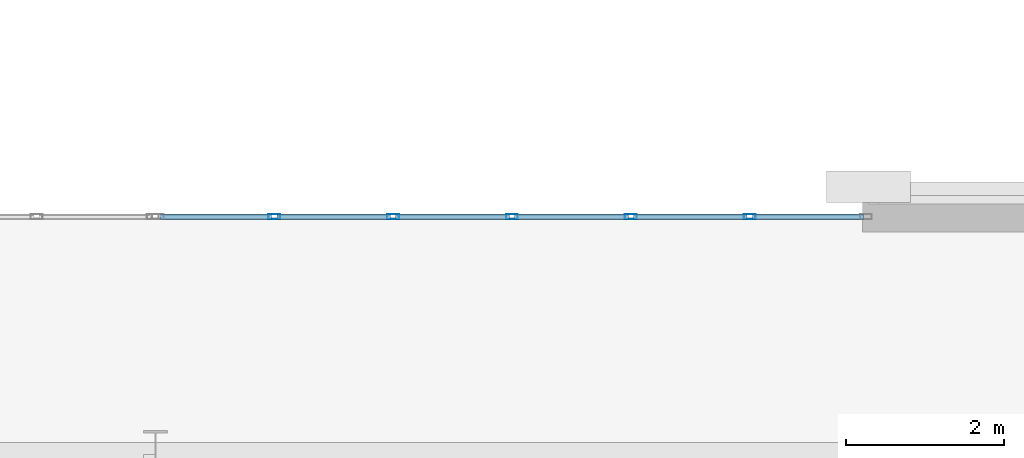
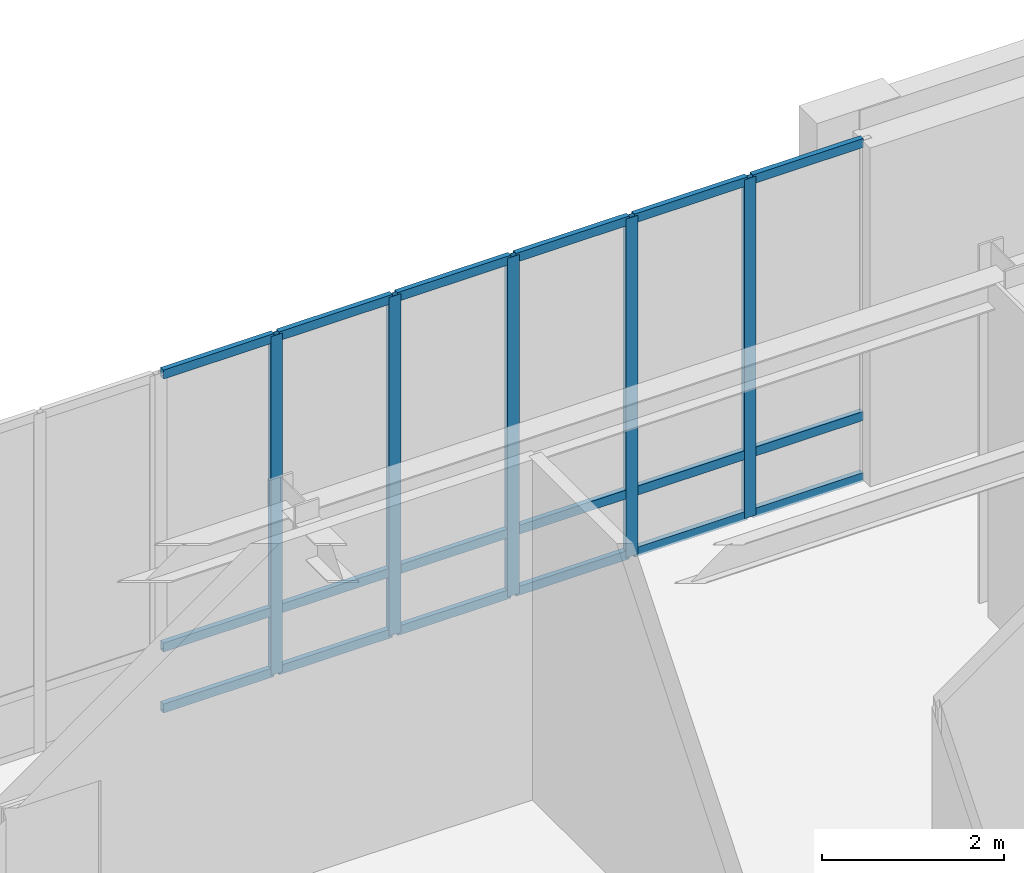
# One storey, part 33 of 92: 23 members, 1 element without a shape of its own.
"""IFC4 building model written with IfcOpenShell, lengths in metres."""

from ifc_helpers import new_model, si_unit, direction, frame, origin, origin_2d, place, context, subcontext, project, spatial, hollow_rectangle, extrude, material, material_profile, profile_set, type_object, element, aggregate, save


model = new_model("IFC4")

# Units and contexts
model_context = context("Model", 3, precision=1e-05, world=origin(), true_north=direction((0.0, 1.0)))
body_context = subcontext(model_context, "Body", "Model", "MODEL_VIEW")
ifc_project = project(units=[si_unit("LENGTHUNIT", "METRE"), si_unit("AREAUNIT", "SQUARE_METRE"), si_unit("VOLUMEUNIT", "CUBIC_METRE"), si_unit("PLANEANGLEUNIT", "RADIAN"), si_unit("MASSUNIT", "GRAM", prefix="KILO")], contexts=[model_context])

# Site, building, storey
site_placement = place(None, origin())
site = spatial("IfcSite", under=ifc_project, at=site_placement, CompositionType="ELEMENT")
building_placement = place(site_placement, origin())
building = spatial("IfcBuilding", under=site, at=building_placement, Name="Lykobir Media Centre", CompositionType="ELEMENT")
storey_placement = place(building_placement, frame((0.0, 0.0, 5.39990234375)))
storey = spatial("IfcBuildingStorey", under=building, at=storey_placement, Name="L01", CompositionType="ELEMENT", Elevation=5.39990234375)

# Curtain wall, members
ifc_material = material(Name="Anodized Aluminium AW-6060", Category="aluminium")
curtain_wall_type = type_object("IfcCurtainWallType", Name="CW-COURT-A", PredefinedType="NOTDEFINED", material=ifc_material)
curtain_wall_placement = place(storey_placement, origin())
curtain_wall = element("IfcCurtainWall", 1, at=curtain_wall_placement, inside=storey, type_object=curtain_wall_type, Name="Curtain wall CW2-L01-0047", PredefinedType="NOTDEFINED")
ifc_material_profile_1 = material_profile(ifc_material, hollow_rectangle(XDim=0.06494140625, YDim=0.14990234375, WallThickness=0.00341796875, at=origin_2d()), Name="ALU MULLION 65x150")
ifc_profile_set_1 = profile_set([ifc_material_profile_1], Name="Anodized Aluminium AW-6060")
member_type_1 = type_object("IfcMemberType", Name="CWM-150", PredefinedType="MULLION", material=ifc_profile_set_1)
member_1_placement = place(storey_placement, frame((64.5, 21.0, 0.0), z_axis=(0.0, 0.0, 1.0), x_axis=(0.0, 1.0, 0.0)))
member_1 = element("IfcMember", 2, at=member_1_placement, type_object=member_type_1, Name="CW2-L01-0047 mullion 2", PredefinedType="MULLION", context=body_context, shape_type="SweptSolid", body=[
    extrude(hollow_rectangle(XDim=0.06494140625, YDim=0.14990234375, WallThickness=0.00341796875, at=origin_2d()), origin(), (0.0, 0.0, 1.0), 4.5400390625),
])
member_2_placement = place(storey_placement, frame((66.0, 21.0, 0.0), z_axis=(0.0, 0.0, 1.0), x_axis=(0.0, 1.0, 0.0)))
member_2 = element("IfcMember", 3, at=member_2_placement, type_object=member_type_1, Name="CW2-L01-0047 mullion 3", PredefinedType="MULLION", context=body_context, shape_type="SweptSolid", body=[
    extrude(hollow_rectangle(XDim=0.06494140625, YDim=0.14990234375, WallThickness=0.00341796875, at=origin_2d()), origin(), (0.0, 0.0, 1.0), 4.5400390625),
])
member_3_placement = place(storey_placement, frame((67.5, 21.0, 0.0), z_axis=(0.0, 0.0, 1.0), x_axis=(0.0, 1.0, 0.0)))
member_3 = element("IfcMember", 4, at=member_3_placement, type_object=member_type_1, Name="CW2-L01-0047 mullion 4", PredefinedType="MULLION", context=body_context, shape_type="SweptSolid", body=[
    extrude(hollow_rectangle(XDim=0.06494140625, YDim=0.14990234375, WallThickness=0.00341796875, at=origin_2d()), origin(), (0.0, 0.0, 1.0), 4.5400390625),
])
member_4_placement = place(storey_placement, frame((69.0, 21.0, 0.0), z_axis=(0.0, 0.0, 1.0), x_axis=(0.0, 1.0, 0.0)))
member_4 = element("IfcMember", 5, at=member_4_placement, type_object=member_type_1, Name="CW2-L01-0047 mullion 5", PredefinedType="MULLION", context=body_context, shape_type="SweptSolid", body=[
    extrude(hollow_rectangle(XDim=0.06494140625, YDim=0.14990234375, WallThickness=0.00341796875, at=origin_2d()), origin(), (0.0, 0.0, 1.0), 4.5400390625),
])
member_5_placement = place(storey_placement, frame((70.5, 21.0, 0.0), z_axis=(0.0, 0.0, 1.0), x_axis=(0.0, 1.0, 0.0)))
member_5 = element("IfcMember", 6, at=member_5_placement, type_object=member_type_1, Name="CW2-L01-0047 mullion 6", PredefinedType="MULLION", context=body_context, shape_type="SweptSolid", body=[
    extrude(hollow_rectangle(XDim=0.06494140625, YDim=0.14990234375, WallThickness=0.00341796875, at=origin_2d()), origin(), (0.0, 0.0, 1.0), 4.5400390625),
])
ifc_material_profile_2 = material_profile(ifc_material, hollow_rectangle(XDim=0.06494140625, YDim=0.1201171875, WallThickness=0.0029296875, at=origin_2d()), Name="ALU TRANSOM 65x120")
ifc_profile_set_2 = profile_set([ifc_material_profile_2], Name="Anodized Aluminium AW-6060")
member_type_2 = type_object("IfcMemberType", Name="CWT-120", PredefinedType="USERDEFINED", material=ifc_profile_set_2)
member_6_placement = place(storey_placement, frame((63.06494140625, 21.0, 0.03271484375), z_axis=(1.0, 0.0, 0.0), x_axis=(0.0, 1.0, 0.0)))
member_6 = element("IfcMember", 7, at=member_6_placement, type_object=member_type_2, Name="CW2-L01-0047 transom 1.1", ObjectType="TRANSOM", PredefinedType="USERDEFINED", context=body_context, shape_type="SweptSolid", body=[
    extrude(hollow_rectangle(XDim=0.06494140625, YDim=0.1201171875, WallThickness=0.0029296875, at=origin_2d()), origin(), (0.0, 0.0, 1.0), 1.402587890625),
])
member_7_placement = place(storey_placement, frame((63.06494140625, 21.0, 0.85009765625), z_axis=(1.0, 0.0, 0.0), x_axis=(0.0, 1.0, 0.0)))
member_7 = element("IfcMember", 8, at=member_7_placement, type_object=member_type_2, Name="CW2-L01-0047 transom 1.2", ObjectType="TRANSOM", PredefinedType="USERDEFINED", context=body_context, shape_type="SweptSolid", body=[
    extrude(hollow_rectangle(XDim=0.06494140625, YDim=0.1201171875, WallThickness=0.0029296875, at=origin_2d()), origin(), (0.0, 0.0, 1.0), 1.402587890625),
])
member_8_placement = place(storey_placement, frame((63.06494140625, 21.0, 4.507568359375), z_axis=(1.0, 0.0, 0.0), x_axis=(0.0, 1.0, 0.0)))
member_8 = element("IfcMember", 9, at=member_8_placement, type_object=member_type_2, Name="CW2-L01-0047 transom 1.3", ObjectType="TRANSOM", PredefinedType="USERDEFINED", context=body_context, shape_type="SweptSolid", body=[
    extrude(hollow_rectangle(XDim=0.06494140625, YDim=0.1201171875, WallThickness=0.0029296875, at=origin_2d()), origin(), (0.0, 0.0, 1.0), 1.402587890625),
])
member_9_placement = place(storey_placement, frame((64.532470703125, 21.0, 0.03271484375), z_axis=(1.0, 0.0, 0.0), x_axis=(0.0, 1.0, 0.0)))
member_9 = element("IfcMember", 10, at=member_9_placement, type_object=member_type_2, Name="CW2-L01-0047 transom 2.1", ObjectType="TRANSOM", PredefinedType="USERDEFINED", context=body_context, shape_type="SweptSolid", body=[
    extrude(hollow_rectangle(XDim=0.06494140625, YDim=0.1201171875, WallThickness=0.0029296875, at=origin_2d()), origin(), (0.0, 0.0, 1.0), 1.43505859375),
])
member_10_placement = place(storey_placement, frame((64.532470703125, 21.0, 0.85009765625), z_axis=(1.0, 0.0, 0.0), x_axis=(0.0, 1.0, 0.0)))
member_10 = element("IfcMember", 11, at=member_10_placement, type_object=member_type_2, Name="CW2-L01-0047 transom 2.2", ObjectType="TRANSOM", PredefinedType="USERDEFINED", context=body_context, shape_type="SweptSolid", body=[
    extrude(hollow_rectangle(XDim=0.06494140625, YDim=0.1201171875, WallThickness=0.0029296875, at=origin_2d()), origin(), (0.0, 0.0, 1.0), 1.43505859375),
])
member_11_placement = place(storey_placement, frame((64.532470703125, 21.0, 4.507568359375), z_axis=(1.0, 0.0, 0.0), x_axis=(0.0, 1.0, 0.0)))
member_11 = element("IfcMember", 12, at=member_11_placement, type_object=member_type_2, Name="CW2-L01-0047 transom 2.3", ObjectType="TRANSOM", PredefinedType="USERDEFINED", context=body_context, shape_type="SweptSolid", body=[
    extrude(hollow_rectangle(XDim=0.06494140625, YDim=0.1201171875, WallThickness=0.0029296875, at=origin_2d()), origin(), (0.0, 0.0, 1.0), 1.43505859375),
])
member_12_placement = place(storey_placement, frame((66.032470703125, 21.0, 0.03271484375), z_axis=(1.0, 0.0, 0.0), x_axis=(0.0, 1.0, 0.0)))
member_12 = element("IfcMember", 13, at=member_12_placement, type_object=member_type_2, Name="CW2-L01-0047 transom 3.1", ObjectType="TRANSOM", PredefinedType="USERDEFINED", context=body_context, shape_type="SweptSolid", body=[
    extrude(hollow_rectangle(XDim=0.06494140625, YDim=0.1201171875, WallThickness=0.0029296875, at=origin_2d()), origin(), (0.0, 0.0, 1.0), 1.43505859375),
])
member_13_placement = place(storey_placement, frame((66.032470703125, 21.0, 0.85009765625), z_axis=(1.0, 0.0, 0.0), x_axis=(0.0, 1.0, 0.0)))
member_13 = element("IfcMember", 14, at=member_13_placement, type_object=member_type_2, Name="CW2-L01-0047 transom 3.2", ObjectType="TRANSOM", PredefinedType="USERDEFINED", context=body_context, shape_type="SweptSolid", body=[
    extrude(hollow_rectangle(XDim=0.06494140625, YDim=0.1201171875, WallThickness=0.0029296875, at=origin_2d()), origin(), (0.0, 0.0, 1.0), 1.43505859375),
])
member_14_placement = place(storey_placement, frame((66.032470703125, 21.0, 4.507568359375), z_axis=(1.0, 0.0, 0.0), x_axis=(0.0, 1.0, 0.0)))
member_14 = element("IfcMember", 15, at=member_14_placement, type_object=member_type_2, Name="CW2-L01-0047 transom 3.3", ObjectType="TRANSOM", PredefinedType="USERDEFINED", context=body_context, shape_type="SweptSolid", body=[
    extrude(hollow_rectangle(XDim=0.06494140625, YDim=0.1201171875, WallThickness=0.0029296875, at=origin_2d()), origin(), (0.0, 0.0, 1.0), 1.43505859375),
])
member_15_placement = place(storey_placement, frame((67.532470703125, 21.0, 0.03271484375), z_axis=(1.0, 0.0, 0.0), x_axis=(0.0, 1.0, 0.0)))
member_15 = element("IfcMember", 16, at=member_15_placement, type_object=member_type_2, Name="CW2-L01-0047 transom 4.1", ObjectType="TRANSOM", PredefinedType="USERDEFINED", context=body_context, shape_type="SweptSolid", body=[
    extrude(hollow_rectangle(XDim=0.06494140625, YDim=0.1201171875, WallThickness=0.0029296875, at=origin_2d()), origin(), (0.0, 0.0, 1.0), 1.43505859375),
])
member_16_placement = place(storey_placement, frame((67.532470703125, 21.0, 0.85009765625), z_axis=(1.0, 0.0, 0.0), x_axis=(0.0, 1.0, 0.0)))
member_16 = element("IfcMember", 17, at=member_16_placement, type_object=member_type_2, Name="CW2-L01-0047 transom 4.2", ObjectType="TRANSOM", PredefinedType="USERDEFINED", context=body_context, shape_type="SweptSolid", body=[
    extrude(hollow_rectangle(XDim=0.06494140625, YDim=0.1201171875, WallThickness=0.0029296875, at=origin_2d()), origin(), (0.0, 0.0, 1.0), 1.43505859375),
])
member_17_placement = place(storey_placement, frame((67.532470703125, 21.0, 4.507568359375), z_axis=(1.0, 0.0, 0.0), x_axis=(0.0, 1.0, 0.0)))
member_17 = element("IfcMember", 18, at=member_17_placement, type_object=member_type_2, Name="CW2-L01-0047 transom 4.3", ObjectType="TRANSOM", PredefinedType="USERDEFINED", context=body_context, shape_type="SweptSolid", body=[
    extrude(hollow_rectangle(XDim=0.06494140625, YDim=0.1201171875, WallThickness=0.0029296875, at=origin_2d()), origin(), (0.0, 0.0, 1.0), 1.43505859375),
])
member_18_placement = place(storey_placement, frame((69.032470703125, 21.0, 0.03271484375), z_axis=(1.0, 0.0, 0.0), x_axis=(0.0, 1.0, 0.0)))
member_18 = element("IfcMember", 19, at=member_18_placement, type_object=member_type_2, Name="CW2-L01-0047 transom 5.1", ObjectType="TRANSOM", PredefinedType="USERDEFINED", context=body_context, shape_type="SweptSolid", body=[
    extrude(hollow_rectangle(XDim=0.06494140625, YDim=0.1201171875, WallThickness=0.0029296875, at=origin_2d()), origin(), (0.0, 0.0, 1.0), 1.43505859375),
])
member_19_placement = place(storey_placement, frame((69.032470703125, 21.0, 0.85009765625), z_axis=(1.0, 0.0, 0.0), x_axis=(0.0, 1.0, 0.0)))
member_19 = element("IfcMember", 20, at=member_19_placement, type_object=member_type_2, Name="CW2-L01-0047 transom 5.2", ObjectType="TRANSOM", PredefinedType="USERDEFINED", context=body_context, shape_type="SweptSolid", body=[
    extrude(hollow_rectangle(XDim=0.06494140625, YDim=0.1201171875, WallThickness=0.0029296875, at=origin_2d()), origin(), (0.0, 0.0, 1.0), 1.43505859375),
])
member_20_placement = place(storey_placement, frame((69.032470703125, 21.0, 4.507568359375), z_axis=(1.0, 0.0, 0.0), x_axis=(0.0, 1.0, 0.0)))
member_20 = element("IfcMember", 21, at=member_20_placement, type_object=member_type_2, Name="CW2-L01-0047 transom 5.3", ObjectType="TRANSOM", PredefinedType="USERDEFINED", context=body_context, shape_type="SweptSolid", body=[
    extrude(hollow_rectangle(XDim=0.06494140625, YDim=0.1201171875, WallThickness=0.0029296875, at=origin_2d()), origin(), (0.0, 0.0, 1.0), 1.43505859375),
])
member_21_placement = place(storey_placement, frame((70.532470703125, 21.0, 0.03271484375), z_axis=(1.0, 0.0, 0.0), x_axis=(0.0, 1.0, 0.0)))
member_21 = element("IfcMember", 22, at=member_21_placement, type_object=member_type_2, Name="CW2-L01-0047 transom 6.1", ObjectType="TRANSOM", PredefinedType="USERDEFINED", context=body_context, shape_type="SweptSolid", body=[
    extrude(hollow_rectangle(XDim=0.06494140625, YDim=0.1201171875, WallThickness=0.0029296875, at=origin_2d()), origin(), (0.0, 0.0, 1.0), 1.402587890625),
])
member_22_placement = place(storey_placement, frame((70.532470703125, 21.0, 0.85009765625), z_axis=(1.0, 0.0, 0.0), x_axis=(0.0, 1.0, 0.0)))
member_22 = element("IfcMember", 23, at=member_22_placement, type_object=member_type_2, Name="CW2-L01-0047 transom 6.2", ObjectType="TRANSOM", PredefinedType="USERDEFINED", context=body_context, shape_type="SweptSolid", body=[
    extrude(hollow_rectangle(XDim=0.06494140625, YDim=0.1201171875, WallThickness=0.0029296875, at=origin_2d()), origin(), (0.0, 0.0, 1.0), 1.402587890625),
])
member_23_placement = place(storey_placement, frame((70.532470703125, 21.0, 4.507568359375), z_axis=(1.0, 0.0, 0.0), x_axis=(0.0, 1.0, 0.0)))
member_23 = element("IfcMember", 24, at=member_23_placement, type_object=member_type_2, Name="CW2-L01-0047 transom 6.3", ObjectType="TRANSOM", PredefinedType="USERDEFINED", context=body_context, shape_type="SweptSolid", body=[
    extrude(hollow_rectangle(XDim=0.06494140625, YDim=0.1201171875, WallThickness=0.0029296875, at=origin_2d()), origin(), (0.0, 0.0, 1.0), 1.402587890625),
])
aggregate(curtain_wall, [member_1, member_2, member_3, member_4, member_5, member_6, member_7, member_8, member_9, member_10, member_11, member_12, member_13, member_14, member_15, member_16, member_17, member_18, member_19, member_20, member_21, member_22, member_23])

save(model, "model.ifc")
